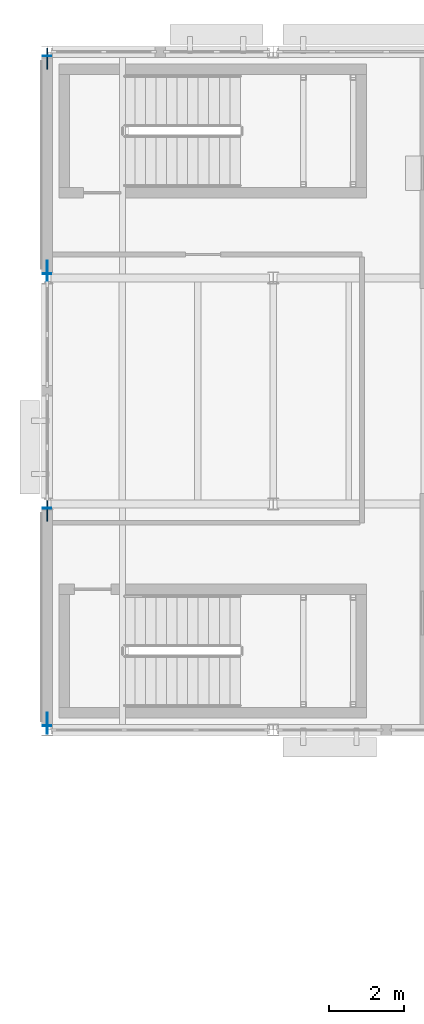
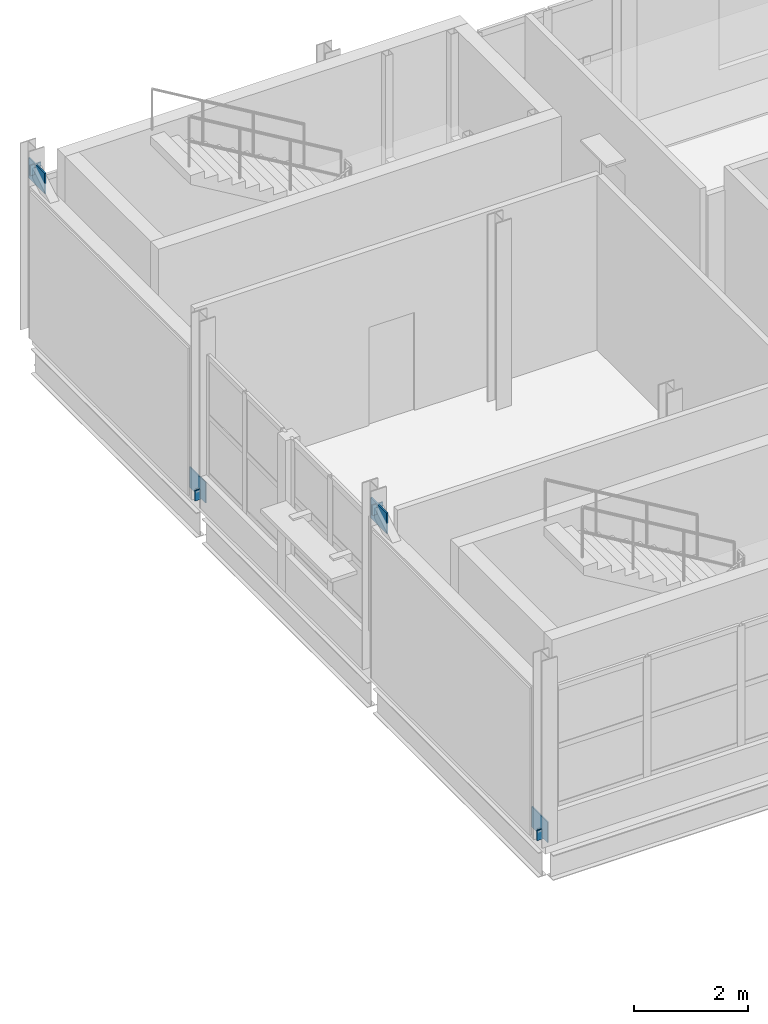
# One storey, part 28 of 45: 8 plates.
"""IFC4 building model written with IfcOpenShell, lengths in metres."""

from ifc_helpers import new_model, si_unit, direction, frame, origin, origin_2d, place, context, subcontext, project, spatial, rectangle, extrude, material, layer, layer_set, type_object, element, save


model = new_model("IFC4")

# Units and contexts
model_context = context("Model", 3, precision=1e-05, world=origin(), true_north=direction((0.0, 1.0)))
body_context = subcontext(model_context, "Body", "Model", "MODEL_VIEW")
ifc_project = project(units=[si_unit("LENGTHUNIT", "METRE"), si_unit("AREAUNIT", "SQUARE_METRE"), si_unit("VOLUMEUNIT", "CUBIC_METRE"), si_unit("PLANEANGLEUNIT", "RADIAN"), si_unit("MASSUNIT", "GRAM", prefix="KILO")], contexts=[model_context])

# Site, building, storey
site_placement = place(None, origin())
site = spatial("IfcSite", under=ifc_project, at=site_placement, CompositionType="ELEMENT")
building_placement = place(site_placement, origin())
building = spatial("IfcBuilding", under=site, at=building_placement, Name="Siltcreek Boulevard Central Fire Station", CompositionType="ELEMENT")
storey_placement = place(building_placement, frame((0.0, 0.0, 10.0)))
storey = spatial("IfcBuildingStorey", under=building, at=storey_placement, Name="L03", CompositionType="ELEMENT", Elevation=10.0)

# Plates
ifc_material = material(Name="Structural steel ASTM A572 Gr50", Category="steel")
ifc_layer_1 = layer(ifc_material, 0.02490234375, Name="Structural steel ASTM A572 Gr50")
ifc_layer_set_1 = layer_set([ifc_layer_1], Name="Structural steel ASTM A572 Gr50")
plate_type_1 = type_object("IfcPlateType", Name="PL_CAP25", PredefinedType="USERDEFINED", material=ifc_layer_set_1)
for number, where, z_axis, x_axis, name in (
    (1, (42.0, 94.31103515625, -0.015625), (0.0, 0.0, 1.0), (0.0, 1.0, 0.0), "L03 SCBF concentrically braced frame BR-015 sealed end cap 1"),
    (2, (42.0, 100.089111328125, 3.4453125), (0.0, 0.0, 1.0), (0.0, 1.0, 0.0), "L03 SCBF concentrically braced frame BR-015 sealed end cap 2"),
    (3, (42.0, 106.31103515625, -0.015625), (0.0, 0.0, 1.0), (0.0, 1.0, 0.0), "L03 SCBF concentrically braced frame BR-021 sealed end cap 1"),
    (4, (42.0, 112.089111328125, 3.4453125), (0.0, 0.0, 1.0), (0.0, 1.0, 0.0), "L03 SCBF concentrically braced frame BR-021 sealed end cap 2"),
):
    element("IfcPlate", number, at=place(storey_placement, frame(where, z_axis=z_axis, x_axis=x_axis)), inside=storey, type_object=plate_type_1, Name=name, ObjectType="END CAP", PredefinedType="USERDEFINED", context=body_context, shape_type="SweptSolid", body=[
        extrude(rectangle(XDim=0.02490234375, YDim=0.219970703125, at=origin_2d()), origin(), (0.0, 0.0, 1.0), 0.219970703125),
    ])
ifc_layer_2 = layer(ifc_material, 0.02197265625, Name="Structural steel ASTM A572 Gr50")
ifc_layer_set_2 = layer_set([ifc_layer_2], Name="Structural steel ASTM A572 Gr50")
plate_type_2 = type_object("IfcPlateType", Name="PL_GUS22", PredefinedType="USERDEFINED", material=ifc_layer_set_2)
for number, where, z_axis, x_axis, name in (
    (5, (42.0, 94.3798828125, 0.030029296875), (0.0, 0.0, 1.0), (0.0, 1.0, 0.0), "Seismic brace bot gusset plate GP-063"),
    (6, (42.0, 106.3798828125, 0.030029296875), (0.0, 0.0, 1.0), (0.0, 1.0, 0.0), "Seismic brace bot gusset plate GP-075"),
):
    element("IfcPlate", number, at=place(storey_placement, frame(where, z_axis=z_axis, x_axis=x_axis)), inside=storey, type_object=plate_type_2, Name=name, ObjectType="GUSSET PLATE", PredefinedType="USERDEFINED", context=body_context, shape_type="SweptSolid", body=[
        extrude(rectangle(XDim=0.56005859375, YDim=0.02197265625, at=origin_2d()), origin(), (0.0, 0.0, 1.0), 0.43994140625),
    ])
ifc_layer_3 = layer(ifc_material, 0.028076171875, Name="Structural steel ASTM A572 Gr50")
ifc_layer_set_3 = layer_set([ifc_layer_3], Name="Structural steel ASTM A572 Gr50")
plate_type_3 = type_object("IfcPlateType", Name="PL_GUS28", PredefinedType="USERDEFINED", material=ifc_layer_set_3)
for number, where, z_axis, x_axis, name in (
    (7, (42.0, 100.02001953125, 3.22998046875), (0.0, 0.0, 1.0), (0.0, 1.0, 0.0), "Seismic brace top gusset plate GP-064"),
    (8, (42.0, 112.02001953125, 3.22998046875), (0.0, 0.0, 1.0), (0.0, 1.0, 0.0), "Seismic brace top gusset plate GP-076"),
):
    element("IfcPlate", number, at=place(storey_placement, frame(where, z_axis=z_axis, x_axis=x_axis)), inside=storey, type_object=plate_type_3, Name=name, ObjectType="GUSSET PLATE", PredefinedType="USERDEFINED", context=body_context, shape_type="SweptSolid", body=[
        extrude(rectangle(XDim=0.56005859375, YDim=0.028076171875, at=origin_2d()), origin(), (0.0, 0.0, 1.0), 0.43994140625),
    ])

save(model, "model.ifc")
